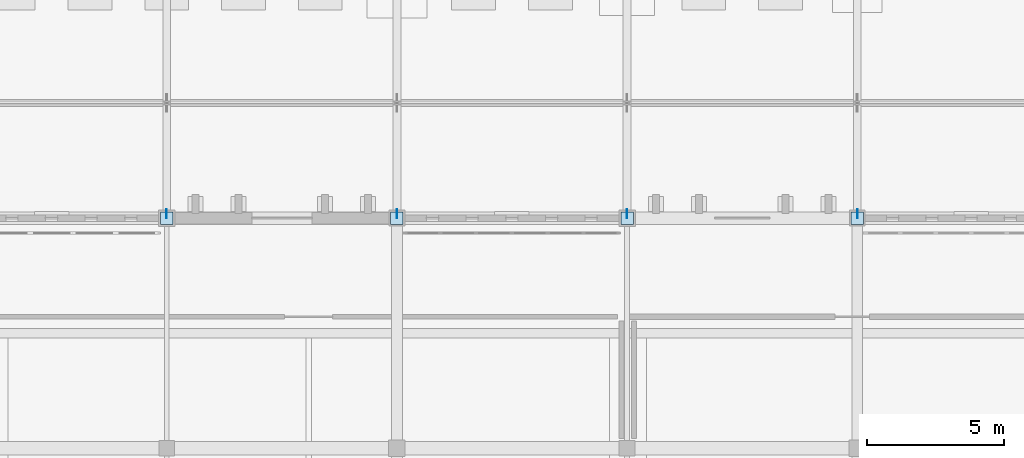
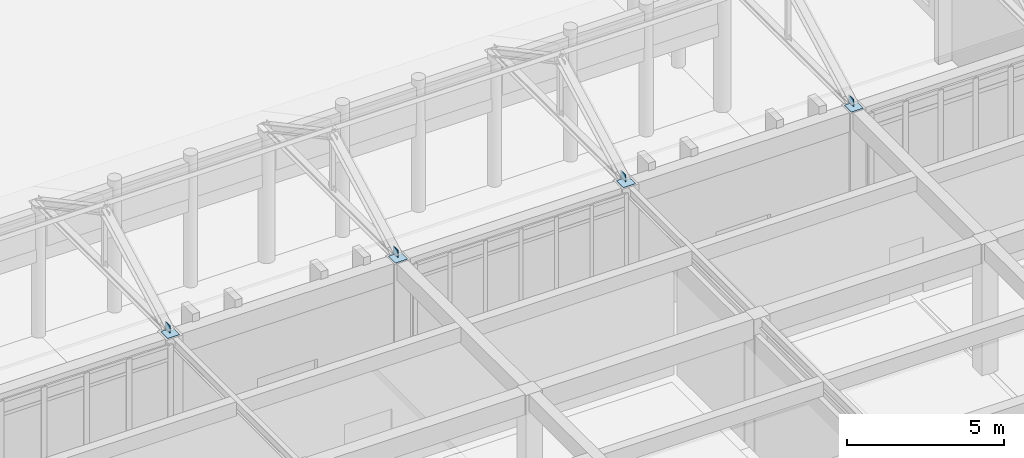
# One storey, part 89 of 143: 8 plates.
"""IFC4 building model written with IfcOpenShell, lengths in metres."""

from ifc_helpers import new_model, si_unit, direction, frame, origin, origin_2d, place, context, subcontext, project, spatial, rectangle, extrude, material, layer, layer_set, type_object, element, save


model = new_model("IFC4")

# Units and contexts
model_context = context("Model", 3, precision=1e-05, world=origin(), true_north=direction((0.0, 1.0)))
body_context = subcontext(model_context, "Body", "Model", "MODEL_VIEW")
ifc_project = project(units=[si_unit("LENGTHUNIT", "METRE"), si_unit("AREAUNIT", "SQUARE_METRE"), si_unit("VOLUMEUNIT", "CUBIC_METRE"), si_unit("PLANEANGLEUNIT", "RADIAN"), si_unit("MASSUNIT", "GRAM", prefix="KILO")], contexts=[model_context])

# Site, building, storey
site_placement = place(None, origin())
site = spatial("IfcSite", under=ifc_project, at=site_placement, CompositionType="ELEMENT")
building_placement = place(site_placement, origin())
building = spatial("IfcBuilding", under=site, at=building_placement, Name="Kveldsbrygga Polytechnic", CompositionType="ELEMENT")
storey_placement = place(building_placement, origin())
storey = spatial("IfcBuildingStorey", under=building, at=storey_placement, Name="L00", CompositionType="ELEMENT", Elevation=0.0)

# Plates
ifc_material = material(Name="Steel S355", Category="steel")
ifc_layer_1 = layer(ifc_material, 0.030029296875)
ifc_layer_set_1 = layer_set([ifc_layer_1], Name="Steel S355")
plate_type_1 = type_object("IfcPlateType", Name="CAP-BEAR-450", PredefinedType="SHEET", material=ifc_layer_set_1)
for number, where, z_axis, x_axis, name in (
    (1, (92.39990234375, 25.199951171875, 5.10986328125), (0.0, 0.0, 1.0), (1.0, 0.0, 0.0), "Truss Bearing Plate ARC-ES-T03-A"),
    (2, (100.800048828125, 25.199951171875, 5.10986328125), (0.0, 0.0, 1.0), (1.0, 0.0, 0.0), "Truss Bearing Plate ARC-ES-T04-A"),
    (3, (109.199951171875, 25.199951171875, 5.10986328125), (0.0, 0.0, 1.0), (1.0, 0.0, 0.0), "Truss Bearing Plate ARC-ES-T05-A"),
    (4, (117.60009765625, 25.199951171875, 5.10986328125), (0.0, 0.0, 1.0), (1.0, 0.0, 0.0), "Truss Bearing Plate ARC-ES-T06-A"),
):
    element("IfcPlate", number, at=place(storey_placement, frame(where, z_axis=z_axis, x_axis=x_axis)), inside=storey, type_object=plate_type_1, Name=name, PredefinedType="SHEET", context=body_context, shape_type="SweptSolid", body=[
        extrude(rectangle(XDim=0.449951171875, YDim=0.449951171875, at=origin_2d()), origin(), (0.0, 0.0, 1.0), 0.030029296875),
    ])
ifc_layer_2 = layer(ifc_material, 0.01806640625)
ifc_layer_set_2 = layer_set([ifc_layer_2], Name="Steel S355")
plate_type_2 = type_object("IfcPlateType", Name="GUS-BRACE-320", PredefinedType="SHEET", material=ifc_layer_set_2)
for number, where, z_axis, x_axis, name in (
    (5, (92.39990234375, 25.360107421875, 5.10009765625), (0.0, 0.0, 1.0), (1.0, 0.0, 0.0), "Truss Eaves Node Gusset ARC-ES-T03-EGP-A"),
    (6, (100.800048828125, 25.360107421875, 5.10009765625), (0.0, 0.0, 1.0), (1.0, 0.0, 0.0), "Truss Eaves Node Gusset ARC-ES-T04-EGP-A"),
    (7, (109.199951171875, 25.360107421875, 5.10009765625), (0.0, 0.0, 1.0), (1.0, 0.0, 0.0), "Truss Eaves Node Gusset ARC-ES-T05-EGP-A"),
    (8, (117.60009765625, 25.360107421875, 5.10009765625), (0.0, 0.0, 1.0), (1.0, 0.0, 0.0), "Truss Eaves Node Gusset ARC-ES-T06-EGP-A"),
):
    element("IfcPlate", number, at=place(storey_placement, frame(where, z_axis=z_axis, x_axis=x_axis)), inside=storey, type_object=plate_type_2, Name=name, PredefinedType="SHEET", context=body_context, shape_type="SweptSolid", body=[
        extrude(rectangle(XDim=0.01806640625, YDim=0.320068359375, at=origin_2d()), origin(), (0.0, 0.0, 1.0), 0.320068359375),
    ])

save(model, "model.ifc")
